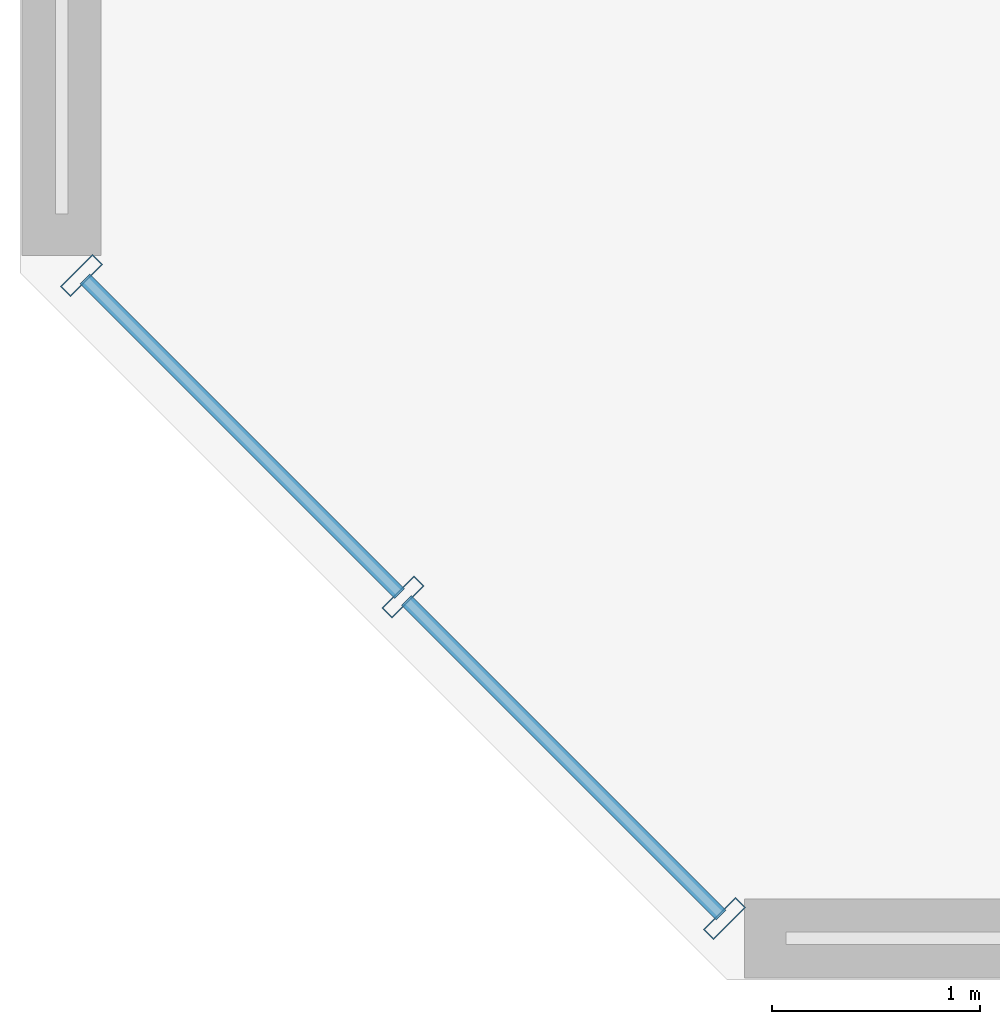
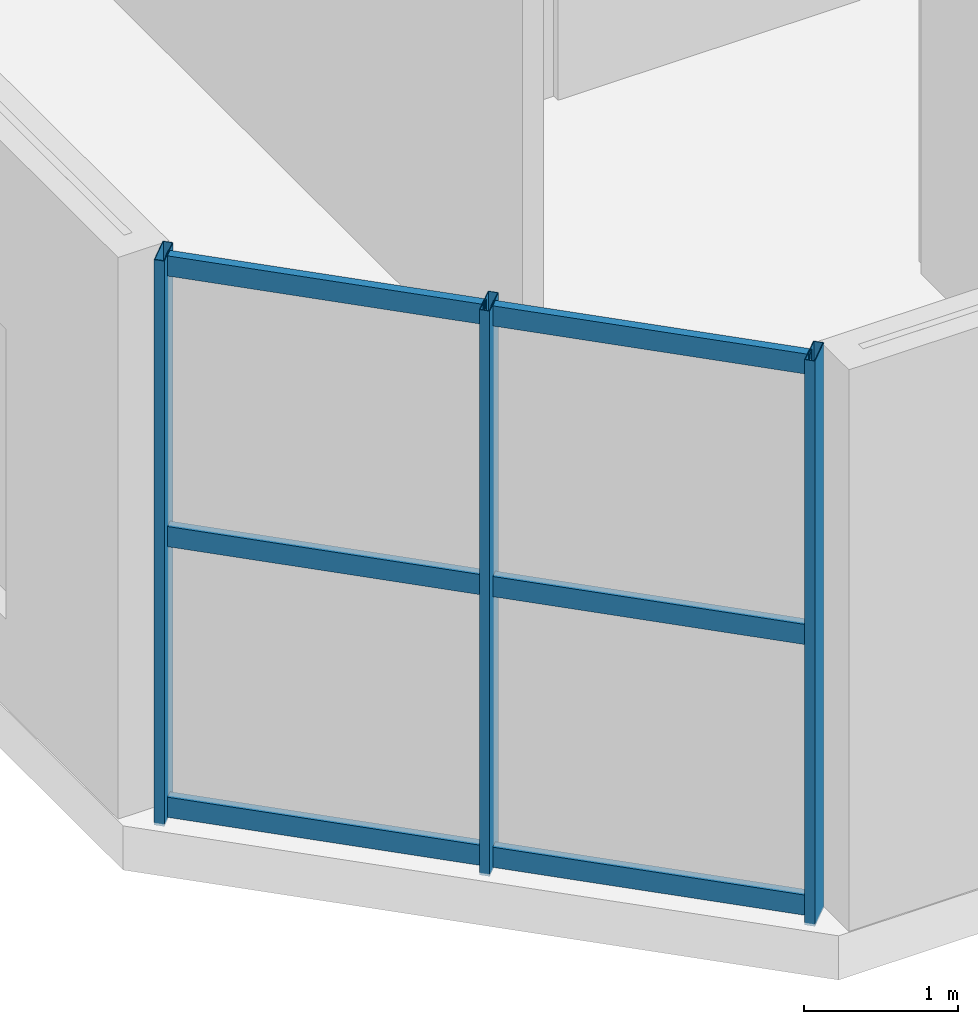
# One storey, part 2 of 22: 9 members, 1 element without a shape of its own.
"""IFC4 building model written with IfcOpenShell, lengths in metres."""

from ifc_helpers import new_model, si_unit, direction, frame, origin, origin_2d, place, context, subcontext, project, spatial, hollow_rectangle, extrude, source, transform, mapped, material, material_profile, profile_set, type_object, element, aggregate, save


model = new_model("IFC4")

# Units and contexts
model_context = context("Model", 3, precision=1e-05, world=origin(), true_north=direction((0.0, 1.0)))
body_context = subcontext(model_context, "Body", "Model", "MODEL_VIEW")
ifc_project = project(units=[si_unit("LENGTHUNIT", "METRE"), si_unit("AREAUNIT", "SQUARE_METRE"), si_unit("VOLUMEUNIT", "CUBIC_METRE"), si_unit("PLANEANGLEUNIT", "RADIAN"), si_unit("MASSUNIT", "GRAM", prefix="KILO")], contexts=[model_context])

# Site, building, storey
site_placement = place(None, origin())
site = spatial("IfcSite", under=ifc_project, at=site_placement, CompositionType="ELEMENT")
building_placement = place(site_placement, origin())
building = spatial("IfcBuilding", under=site, at=building_placement, Name="Tlacorven Tower", CompositionType="ELEMENT")
storey_placement = place(building_placement, frame((0.0, 0.0, 5.39990234375)))
storey = spatial("IfcBuildingStorey", under=building, at=storey_placement, Name="L01", CompositionType="ELEMENT", Elevation=5.39990234375)

# Curtain wall, members
ifc_material_1 = material(Name="Dark solar low-E double glazing in aluminium frame", Category="aluminium")
curtain_wall_type = type_object("IfcCurtainWallType", Name="CW-STN-CONCOURSE", PredefinedType="USERDEFINED", material=ifc_material_1)
curtain_wall_placement = place(storey_placement, origin())
curtain_wall = element("IfcCurtainWall", 1, at=curtain_wall_placement, inside=storey, type_object=curtain_wall_type, Name="L01 Podium Chamfer Curtain Wall 1", ObjectType="UNITISED CURTAIN WALL", PredefinedType="USERDEFINED")
ifc_material_2 = material(Name="Aluminium 6063-T6 anodised", Category="aluminium")
ifc_material_profile_1 = material_profile(ifc_material_2, hollow_rectangle(XDim=0.06494140625, YDim=0.159912109375, WallThickness=0.00390625, at=origin_2d()), Name="ALU TRANSOM 65X160")
ifc_profile_set_1 = profile_set([ifc_material_profile_1], Name="Aluminium 6063-T6 anodised")
member_type_1 = type_object("IfcMemberType", Name="CWT-01", PredefinedType="USERDEFINED", material=ifc_profile_set_1)
shared_shape_1 = source(origin(), body_context, "Body", "SweptSolid", [
    extrude(hollow_rectangle(XDim=0.06494140625, YDim=0.159912109375, WallThickness=0.00390625, at=origin_2d()), origin(), (0.0, 0.0, 1.0), 2.140380859375),
])
member_1_placement = place(storey_placement, frame((4.771240234375, 1.711669921875, 0.080078125), z_axis=(-0.707163808226, 0.707049749547, 0.0), x_axis=(-0.707049749547, -0.707163808226, 0.0)))
member_1 = element("IfcMember", 2, at=member_1_placement, type_object=member_type_1, Name="CW-L01-005 Transom 1", ObjectType="TRANSOM", PredefinedType="USERDEFINED", context=body_context, shape_type="MappedRepresentation", body=[
    mapped(shared_shape_1, transform((0.0, 0.0, 0.0), scale=1.0)),
])
member_2_placement = place(storey_placement, frame((4.771240234375, 1.711669921875, 2.22509765625), z_axis=(-0.707163808226, 0.707049749547, 0.0), x_axis=(-0.707049749547, -0.707163808226, 0.0)))
member_2 = element("IfcMember", 3, at=member_2_placement, type_object=member_type_1, Name="CW-L01-005 Transom 2", ObjectType="TRANSOM", PredefinedType="USERDEFINED", context=body_context, shape_type="MappedRepresentation", body=[
    mapped(shared_shape_1, transform((0.0, 0.0, 0.0), scale=1.0)),
])
member_3_placement = place(storey_placement, frame((4.771240234375, 1.711669921875, 4.3701171875), z_axis=(-0.707163808226, 0.707049749547, 0.0), x_axis=(-0.707049749547, -0.707163808226, 0.0)))
member_3 = element("IfcMember", 4, at=member_3_placement, type_object=member_type_1, Name="CW-L01-005 Transom 3", ObjectType="TRANSOM", PredefinedType="USERDEFINED", context=body_context, shape_type="MappedRepresentation", body=[
    mapped(shared_shape_1, transform((0.0, 0.0, 0.0), scale=1.0)),
])
member_4_placement = place(storey_placement, frame((3.22509765625, 3.257568359375, 0.080078125), z_axis=(-0.707049749547, 0.707163808226, 0.0), x_axis=(-0.707163808226, -0.707049749547, 0.0)))
member_4 = element("IfcMember", 5, at=member_4_placement, type_object=member_type_1, Name="CW-L01-005 Transom 4", ObjectType="TRANSOM", PredefinedType="USERDEFINED", context=body_context, shape_type="MappedRepresentation", body=[
    mapped(shared_shape_1, transform((0.0, 0.0, 0.0), scale=1.0)),
])
member_5_placement = place(storey_placement, frame((3.22509765625, 3.257568359375, 2.22509765625), z_axis=(-0.707049749547, 0.707163808226, 0.0), x_axis=(-0.707163808226, -0.707049749547, 0.0)))
member_5 = element("IfcMember", 6, at=member_5_placement, type_object=member_type_1, Name="CW-L01-005 Transom 5", ObjectType="TRANSOM", PredefinedType="USERDEFINED", context=body_context, shape_type="MappedRepresentation", body=[
    mapped(shared_shape_1, transform((0.0, 0.0, 0.0), scale=1.0)),
])
member_6_placement = place(storey_placement, frame((3.22509765625, 3.257568359375, 4.3701171875), z_axis=(-0.707049749547, 0.707163808226, 0.0), x_axis=(-0.707163808226, -0.707049749547, 0.0)))
member_6 = element("IfcMember", 7, at=member_6_placement, type_object=member_type_1, Name="CW-L01-005 Transom 6", ObjectType="TRANSOM", PredefinedType="USERDEFINED", context=body_context, shape_type="MappedRepresentation", body=[
    mapped(shared_shape_1, transform((0.0, 0.0, 0.0), scale=1.0)),
])
ifc_material_profile_2 = material_profile(ifc_material_2, hollow_rectangle(XDim=0.070068359375, YDim=0.219970703125, WallThickness=0.0048828125, at=origin_2d()), Name="ALU MULLION 70X220")
ifc_profile_set_2 = profile_set([ifc_material_profile_2], Name="Aluminium 6063-T6 anodised")
member_type_2 = type_object("IfcMemberType", Name="CWM-01", PredefinedType="MULLION", material=ifc_profile_set_2)
shared_shape_2 = source(origin(), body_context, "Body", "SweptSolid", [
    extrude(hollow_rectangle(XDim=0.070068359375, YDim=0.219970703125, WallThickness=0.0048828125, at=origin_2d()), origin(), (0.0, 0.0, 1.0), 4.480224609375),
])
member_7_placement = place(storey_placement, frame((4.787353515625, 1.695556640625, -0.02001953125), z_axis=(0.0, 0.0, 1.0), x_axis=(-0.707106781187, 0.707106781187, 0.0)))
member_7 = element("IfcMember", 8, at=member_7_placement, type_object=member_type_2, Name="CW-L01-005 Mullion 1", PredefinedType="MULLION", context=body_context, shape_type="MappedRepresentation", body=[
    mapped(shared_shape_2, transform((0.0, 0.0, 0.0), scale=1.0)),
])
member_8_placement = place(storey_placement, frame((3.241455078125, 3.241455078125, -0.02001953125), z_axis=(0.0, 0.0, 1.0), x_axis=(-0.707106781187, 0.707106781187, 0.0)))
member_8 = element("IfcMember", 9, at=member_8_placement, type_object=member_type_2, Name="CW-L01-005 Mullion 2", PredefinedType="MULLION", context=body_context, shape_type="MappedRepresentation", body=[
    mapped(shared_shape_2, transform((0.0, 0.0, 0.0), scale=1.0)),
])
member_9_placement = place(storey_placement, frame((1.695556640625, 4.787353515625, -0.02001953125), z_axis=(0.0, 0.0, 1.0), x_axis=(-0.707106781187, 0.707106781187, 0.0)))
member_9 = element("IfcMember", 10, at=member_9_placement, type_object=member_type_2, Name="CW-L01-005 Mullion 3", PredefinedType="MULLION", context=body_context, shape_type="MappedRepresentation", body=[
    mapped(shared_shape_2, transform((0.0, 0.0, 0.0), scale=1.0)),
])
aggregate(curtain_wall, [member_7, member_8, member_9, member_1, member_2, member_3, member_4, member_5, member_6])

save(model, "model.ifc")
